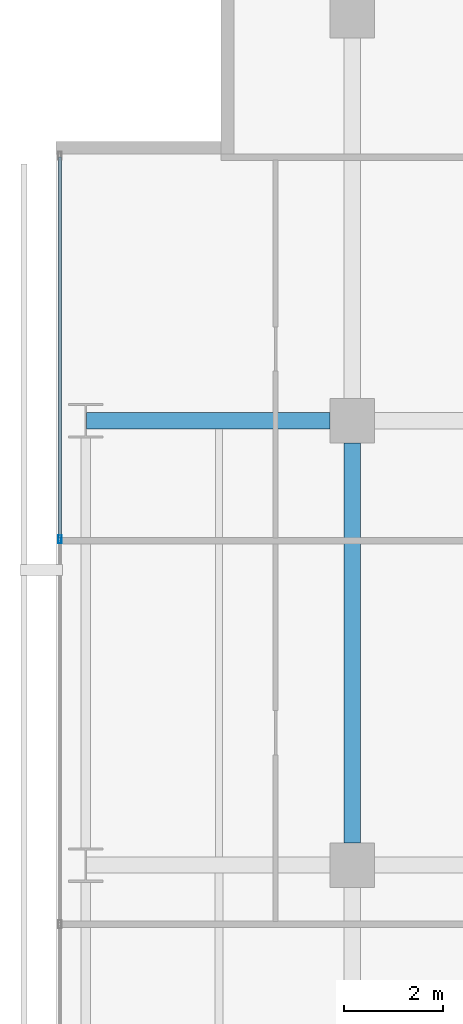
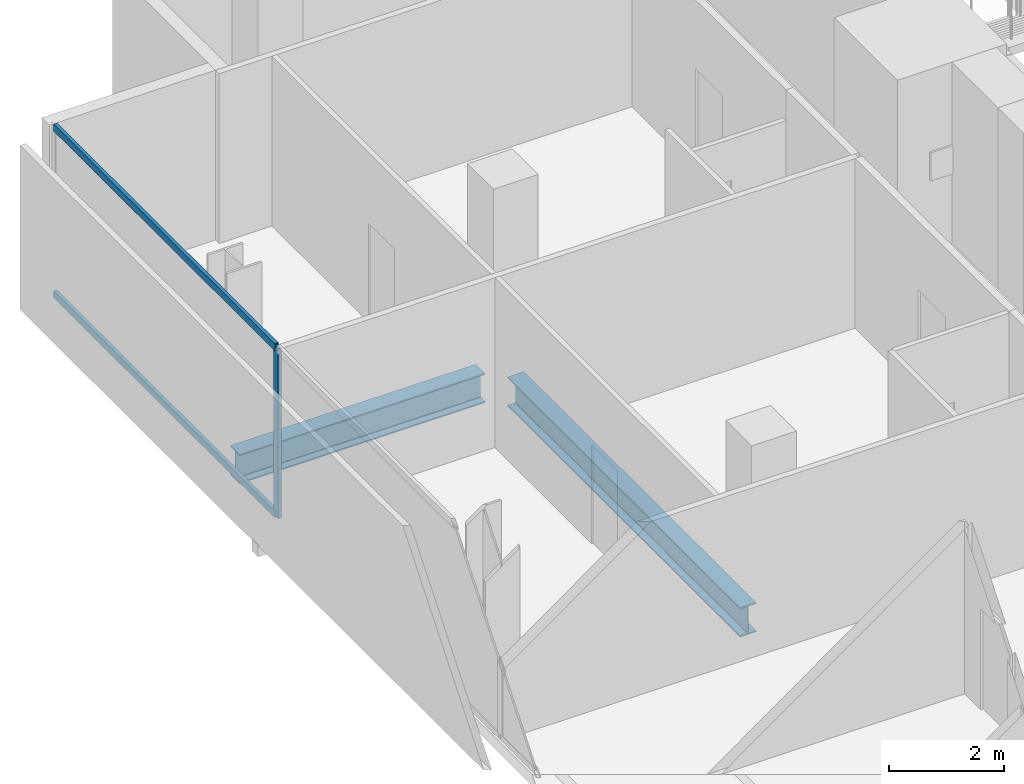
# One storey, part 23 of 40: 3 members, 2 beams, 1 element without a shape of its own.
"""IFC4 building model written with IfcOpenShell, lengths in metres."""

from ifc_helpers import new_model, si_unit, direction, frame, origin, origin_2d, place, context, subcontext, project, spatial, hollow_rectangle, i_section, extrude, material, layer, layer_set, material_profile, profile_set, type_object, element, aggregate, save


model = new_model("IFC4")

# Units and contexts
model_context = context("Model", 3, precision=1e-05, world=origin(), true_north=direction((0.0, 1.0)))
body_context = subcontext(model_context, "Body", "Model", "MODEL_VIEW")
ifc_project = project(units=[si_unit("LENGTHUNIT", "METRE"), si_unit("AREAUNIT", "SQUARE_METRE"), si_unit("VOLUMEUNIT", "CUBIC_METRE"), si_unit("PLANEANGLEUNIT", "RADIAN"), si_unit("MASSUNIT", "GRAM", prefix="KILO")], contexts=[model_context])

# Site, building, storey
site_placement = place(None, origin())
site = spatial("IfcSite", under=ifc_project, at=site_placement, CompositionType="ELEMENT")
building_placement = place(site_placement, origin())
building = spatial("IfcBuilding", under=site, at=building_placement, Name="Maruvema Waterfront Hotel and Observation Tower", CompositionType="ELEMENT")
storey_placement = place(building_placement, frame((0.0, 0.0, 53.89990234375)))
storey = spatial("IfcBuildingStorey", under=building, at=storey_placement, Name="L12", CompositionType="ELEMENT", Elevation=53.89990234375)

# Curtain wall, members
ifc_material_1 = material(Name="Anodised bronze aluminium and solar-control low-E IGU", Category="aluminium")
ifc_layer = layer(ifc_material_1, 0.159912109375, Name="Zone 1 Bronze Inner Thermal Curtain Wall System CW-02")
ifc_layer_set = layer_set([ifc_layer], Name="Anodised bronze aluminium and solar-control low-E IGU")
curtain_wall_type = type_object("IfcCurtainWallType", Name="Zone 1 Bronze Inner Thermal Curtain Wall System CW-02", PredefinedType="USERDEFINED", material=ifc_layer_set)
curtain_wall_placement = place(storey_placement, origin())
curtain_wall = element("IfcCurtainWall", 1, at=curtain_wall_placement, inside=storey, type_object=curtain_wall_type, Name="L12 Curtain Wall CW-L12-W", ObjectType="UNITISED CURTAIN WALL", PredefinedType="USERDEFINED")
ifc_material_2 = material(Name="Anodised architectural bronze aluminium", Category="aluminium")
ifc_material_profile_1 = material_profile(ifc_material_2, hollow_rectangle(XDim=0.070068359375, YDim=0.14990234375, WallThickness=0.00390625, at=origin_2d()), Name="ALU-T70x150")
ifc_profile_set_1 = profile_set([ifc_material_profile_1], Name="Anodised architectural bronze aluminium")
member_type_1 = type_object("IfcMemberType", Name="Curtain Wall Horizontal Transom ALU-T70x150", PredefinedType="USERDEFINED", material=ifc_profile_set_1)
member_1_placement = place(storey_placement, frame((10.8798828125, 50.340087890625, 0.030029296875), z_axis=(0.0, -1.0, 0.0), x_axis=(1.0, 0.0, 0.0)))
member_1 = element("IfcMember", 2, at=member_1_placement, type_object=member_type_1, Name="CW-02 transom 1.1", ObjectType="TRANSOM", PredefinedType="USERDEFINED", context=body_context, shape_type="SweptSolid", body=[
    extrude(hollow_rectangle(XDim=0.070068359375, YDim=0.14990234375, WallThickness=0.00390625, at=origin_2d()), origin(), (0.0, 0.0, 1.0), 7.710205078125),
])
member_2_placement = place(storey_placement, frame((10.8798828125, 50.340087890625, 3.580078125), z_axis=(0.0, -1.0, 0.0), x_axis=(1.0, 0.0, 0.0)))
member_2 = element("IfcMember", 3, at=member_2_placement, type_object=member_type_1, Name="CW-02 transom 1.2", ObjectType="TRANSOM", PredefinedType="USERDEFINED", context=body_context, shape_type="SweptSolid", body=[
    extrude(hollow_rectangle(XDim=0.070068359375, YDim=0.14990234375, WallThickness=0.00390625, at=origin_2d()), origin(), (0.0, 0.0, 1.0), 7.710205078125),
])
ifc_material_3 = material(Name="Anodised architectural bronze aluminium", Category="aluminium")
ifc_material_profile_2 = material_profile(ifc_material_3, hollow_rectangle(XDim=0.06494140625, YDim=0.1650390625, WallThickness=0.00390625, at=origin_2d()), Name="ALU-M65x165")
ifc_profile_set_2 = profile_set([ifc_material_profile_2], Name="Anodised architectural bronze aluminium")
member_type_2 = type_object("IfcMemberType", Name="Curtain Wall Primary Mullion ALU-M65x165", PredefinedType="MULLION", material=ifc_profile_set_2)
member_3_placement = place(storey_placement, frame((10.8798828125, 42.60009765625, 0.0), z_axis=(0.0, 0.0, 1.0), x_axis=(1.0, 0.0, 0.0)))
member_3 = element("IfcMember", 4, at=member_3_placement, type_object=member_type_2, Name="CW-02 mullion 2", PredefinedType="MULLION", context=body_context, shape_type="SweptSolid", body=[
    extrude(hollow_rectangle(XDim=0.06494140625, YDim=0.1650390625, WallThickness=0.00390625, at=origin_2d()), origin(), (0.0, 0.0, 1.0), 3.610107421875),
])
aggregate(curtain_wall, [member_3, member_1, member_2])

# Beams
ifc_material_4 = material(Name="Steel ASTM A572 Grade 50", Category="steel")
ifc_material_profile_3 = material_profile(ifc_material_4, i_section(OverallWidth=0.326904296875, OverallDepth=0.6220703125, WebThickness=0.015380859375, FlangeThickness=0.0244140625, FilletRadius=0.01806640625, at=origin_2d()), Name="W610x195.0")
ifc_profile_set_3 = profile_set([ifc_material_profile_3], Name="Steel ASTM A572 Grade 50")
beam_type = type_object("IfcBeamType", Name="Primary Floor Girder W610x195.0", PredefinedType="BEAM", material=ifc_profile_set_3)
beam_1_placement = place(storey_placement, frame((11.4140625, 45.0, -0.55078125), z_axis=(1.0, 0.0, 0.0), x_axis=(0.0, 1.0, 0.0)))
element("IfcBeam", 5, at=beam_1_placement, inside=storey, type_object=beam_type, Name="L12 Floor Girder EW-32", PredefinedType="BEAM", context=body_context, shape_type="SweptSolid", body=[
    extrude(i_section(OverallWidth=0.326904296875, OverallDepth=0.6220703125, WebThickness=0.015380859375, FlangeThickness=0.0244140625, FilletRadius=0.01806640625, at=origin_2d()), origin(), (0.0, 0.0, 1.0), 4.93603515625),
])
beam_2_placement = place(storey_placement, frame((16.800048828125, 36.449951171875, -0.55078125), z_axis=(0.0, 1.0, 0.0), x_axis=(-1.0, 0.0, 0.0)))
element("IfcBeam", 6, at=beam_2_placement, inside=storey, type_object=beam_type, Name="L12 Floor Girder NS-09", PredefinedType="BEAM", context=body_context, shape_type="SweptSolid", body=[
    extrude(i_section(OverallWidth=0.326904296875, OverallDepth=0.6220703125, WebThickness=0.015380859375, FlangeThickness=0.0244140625, FilletRadius=0.01806640625, at=origin_2d()), origin(), (0.0, 0.0, 1.0), 8.10009765625),
])

save(model, "model.ifc")
